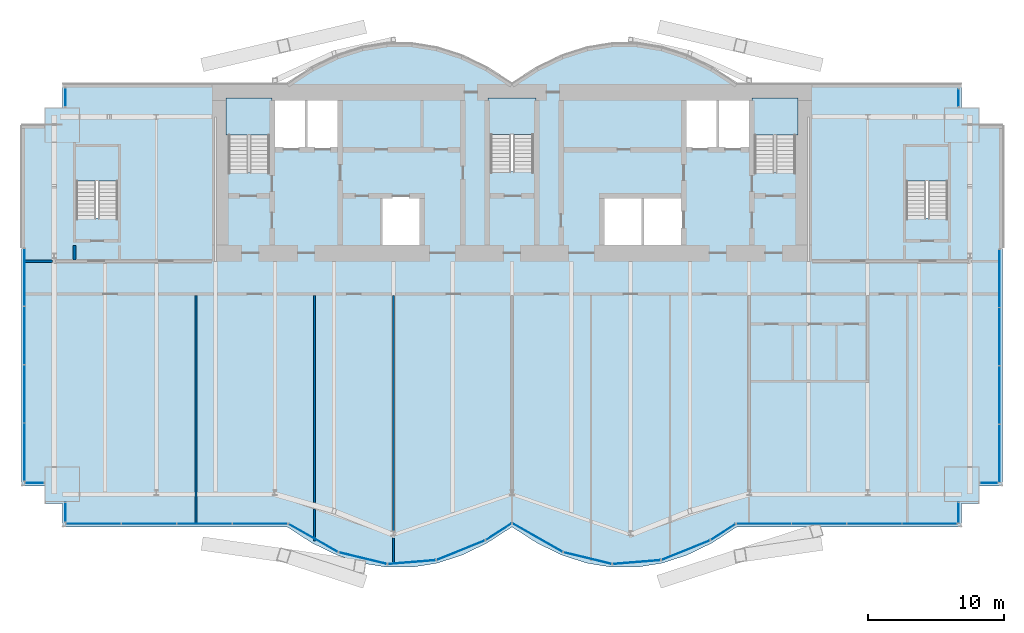
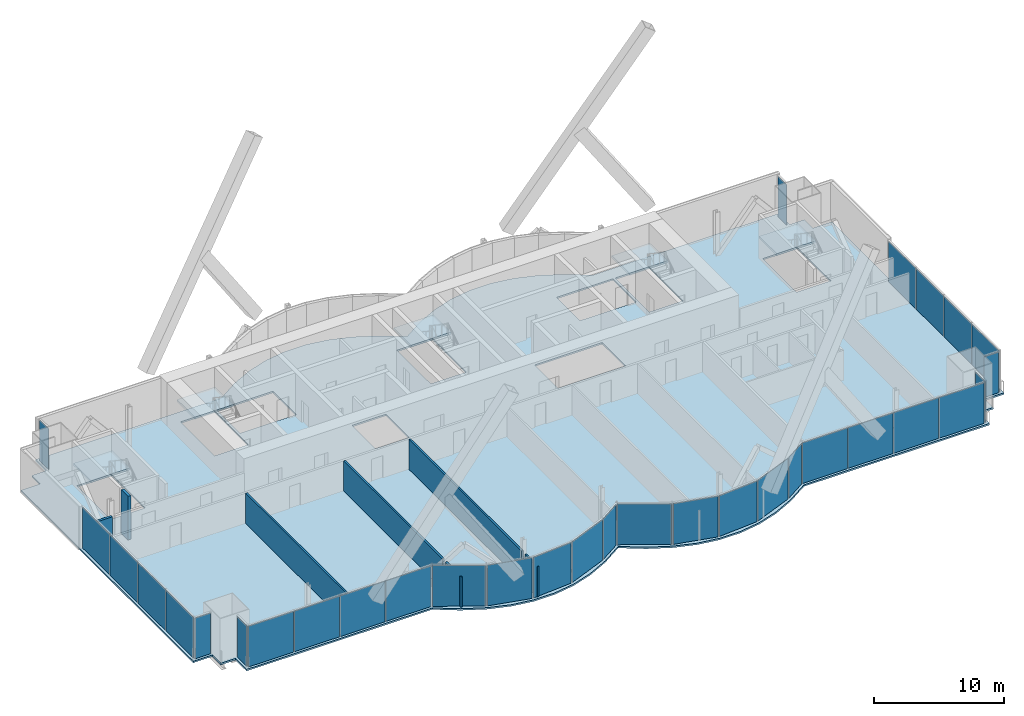
# One storey, part 15 of 22: 32 plates, 7 walls, 6 slabs, 17 elements without a shape of their own.
"""IFC4 building model written with IfcOpenShell, lengths in metres."""

from ifc_helpers import new_model, si_unit, direction, frame, frame_2d, origin, origin_2d, place, context, subcontext, project, spatial, polyline, rectangle, outline, extrude, material, layer, layer_set, type_object, element, aggregate, save


model = new_model("IFC4")

# Units and contexts
model_context = context("Model", 3, precision=1e-05, world=origin(), true_north=direction((0.0, 1.0)))
body_context = subcontext(model_context, "Body", "Model", "MODEL_VIEW")
ifc_project = project(units=[si_unit("LENGTHUNIT", "METRE"), si_unit("AREAUNIT", "SQUARE_METRE"), si_unit("VOLUMEUNIT", "CUBIC_METRE"), si_unit("PLANEANGLEUNIT", "RADIAN"), si_unit("MASSUNIT", "GRAM", prefix="KILO")], contexts=[model_context])

# Site, building, storey
site_placement = place(None, origin())
site = spatial("IfcSite", under=ifc_project, at=site_placement, CompositionType="ELEMENT")
building_placement = place(site_placement, origin())
building = spatial("IfcBuilding", under=site, at=building_placement, Name="Bicima Exchange Tower", CompositionType="ELEMENT")
storey_placement = place(building_placement, frame((0.0, 0.0, 203.199951171875)))
storey = spatial("IfcBuildingStorey", under=building, at=storey_placement, Name="L45", CompositionType="ELEMENT", Elevation=203.199951171875)

# Slab
ifc_material_1 = material(Name="Concrete C40/50", Category="concrete")
ifc_layer_1 = layer(ifc_material_1, 0.14990234375)
ifc_layer_set_1 = layer_set([ifc_layer_1], Name="Concrete C40/50")
slab_type_1 = type_object("IfcSlabType", Name="Composite floor slab 150", PredefinedType="FLOOR", material=ifc_layer_set_1)
slab_1_placement = place(storey_placement, frame((0.0, 0.0, -0.14990234375)))
element("IfcSlab", 1, at=slab_1_placement, inside=storey, type_object=slab_type_1, Name="Floor slab", PredefinedType="FLOOR", context=body_context, shape_type="SweptSolid", body=[
    extrude(outline(polyline([(-36.0, -29.48388671875), (-36.0, -3.0), (-34.300048828125, -3.0), (-34.300048828125, -1.699951171875), (-33.0, -1.699951171875), (-33.0, 0.0), (-16.5, 0.0), (-14.666748046875, 1.185302734375), (-12.833251953125, 2.07421875), (-11.0, 2.666748046875), (-9.166748046875, 2.962890625), (-7.333251953125, 2.962890625), (-5.5, 2.666748046875), (-3.666748046875, 2.07421875), (-1.833251953125, 1.185302734375), (0.0, 0.0), (1.833251953125, 1.185302734375), (3.666748046875, 2.07421875), (5.5, 2.666748046875), (7.333251953125, 2.962890625), (9.166748046875, 2.962890625), (11.0, 2.666748046875), (12.833251953125, 2.07421875), (14.666748046875, 1.185302734375), (16.5, 0.0), (33.0, 0.0), (33.0, -1.699951171875), (34.300048828125, -1.699951171875), (34.300048828125, -3.0), (36.0, -3.0), (36.0, -29.48388671875), (34.300048828125, -29.48388671875), (34.300048828125, -30.783935546875), (33.0, -30.783935546875), (33.0, -32.48388671875), (16.5, -32.48388671875), (14.666748046875, -33.669189453125), (12.833251953125, -34.55810546875), (11.0, -35.150634765625), (9.166748046875, -35.447021484375), (7.333251953125, -35.447021484375), (5.5, -35.150634765625), (3.666748046875, -34.55810546875), (1.833251953125, -33.669189453125), (0.0, -32.48388671875), (-1.833251953125, -33.669189453125), (-3.666748046875, -34.55810546875), (-5.5, -35.150634765625), (-7.333251953125, -35.447021484375), (-9.166748046875, -35.447021484375), (-11.0, -35.150634765625), (-12.833251953125, -34.55810546875), (-14.666748046875, -33.669189453125), (-16.5, -32.48388671875), (-33.0, -32.48388671875), (-33.0, -30.783935546875), (-34.300048828125, -30.783935546875), (-34.300048828125, -29.48388671875), (-36.0, -29.48388671875)]), holes=[polyline([(-6.60009765625, -11.800048828125), (-6.60009765625, -8.199951171875), (-9.60009765625, -8.199951171875), (-9.60009765625, -11.800048828125), (-6.60009765625, -11.800048828125)]), polyline([(-31.97509765625, -9.824951171875), (-28.925048828125, -9.824951171875), (-28.925048828125, -4.625), (-31.97509765625, -4.625), (-31.97509765625, -9.824951171875)]), polyline([(-20.800048828125, -6.449951171875), (-17.800048828125, -6.449951171875), (-17.800048828125, -1.199951171875), (-20.800048828125, -1.199951171875), (-20.800048828125, -6.449951171875)]), polyline([(1.574951171875, -6.39990234375), (1.574951171875, -1.199951171875), (-1.574951171875, -1.199951171875), (-1.574951171875, -6.39990234375), (1.574951171875, -6.39990234375)]), polyline([(-12.60009765625, -4.800048828125), (-12.60009765625, -1.199951171875), (-15.10009765625, -1.199951171875), (-17.60009765625, -1.199951171875), (-17.60009765625, -4.800048828125), (-15.10009765625, -4.800048828125), (-12.60009765625, -4.800048828125)]), polyline([(12.60009765625, -8.199951171875), (9.60009765625, -8.199951171875), (6.60009765625, -8.199951171875), (6.60009765625, -11.800048828125), (9.60009765625, -11.800048828125), (12.60009765625, -11.800048828125), (12.60009765625, -8.199951171875)]), polyline([(28.925048828125, -9.824951171875), (31.97509765625, -9.824951171875), (31.97509765625, -4.625), (28.925048828125, -4.625), (28.925048828125, -9.824951171875)]), polyline([(20.800048828125, -6.449951171875), (20.800048828125, -1.199951171875), (17.800048828125, -1.199951171875), (17.800048828125, -6.449951171875), (20.800048828125, -6.449951171875)]), polyline([(17.60009765625, -4.800048828125), (17.60009765625, -1.199951171875), (15.10009765625, -1.199951171875), (12.60009765625, -1.199951171875), (12.60009765625, -4.800048828125), (15.10009765625, -4.800048828125), (17.60009765625, -4.800048828125)])]), origin(), (0.0, 0.0, 1.0), 0.14990234375),
])

# Curtain wall, plates
ifc_material_2 = material(Name="Anodised bronze aluminium", Category="aluminium")
curtain_wall_type_1 = type_object("IfcCurtainWallType", Name="End face glass wall", PredefinedType="NOTDEFINED", material=ifc_material_2)
curtain_wall_1_placement = place(storey_placement, origin())
curtain_wall_1 = element("IfcCurtainWall", 2, at=curtain_wall_1_placement, inside=storey, type_object=curtain_wall_type_1, Name="End face glass wall L45 run 2", PredefinedType="NOTDEFINED")
ifc_material_3 = material(Name="Bronze tinted glass", Category="glass")
ifc_layer_2 = layer(ifc_material_3, 0.031982421875)
ifc_layer_set_2 = layer_set([ifc_layer_2], Name="Bronze tinted glass")
plate_type_1 = type_object("IfcPlateType", Name="End face glass wall glass panel 32", PredefinedType="CURTAIN_PANEL", material=ifc_layer_set_2)
plate_1_placement = place(storey_placement, frame((-35.77001953125, -18.44775390625, 0.0), z_axis=(0.0, 0.0, 1.0), x_axis=(0.0, -1.0, 0.0)))
plate_1 = element("IfcPlate", 3, at=plate_1_placement, type_object=plate_type_1, Name="End face glass wall panel 2.1", PredefinedType="CURTAIN_PANEL", context=body_context, shape_type="SweptSolid", body=[
    extrude(rectangle(XDim=4.218505859375, YDim=0.031982421875, at=origin_2d()), origin(), (0.0, 0.0, 1.0), 3.81005859375),
])
plate_2_placement = place(storey_placement, frame((-35.77001953125, -27.0048828125, 0.0), z_axis=(0.0, 0.0, 1.0), x_axis=(0.0, -1.0, 0.0)))
plate_2 = element("IfcPlate", 4, at=plate_2_placement, type_object=plate_type_1, Name="End face glass wall panel 4.1", PredefinedType="CURTAIN_PANEL", context=body_context, shape_type="SweptSolid", body=[
    extrude(rectangle(XDim=4.218505859375, YDim=0.031982421875, at=origin_2d()), origin(), (0.0, 0.0, 1.0), 3.81005859375),
])

curtain_wall_2_placement = place(storey_placement, origin())
curtain_wall_2 = element("IfcCurtainWall", 5, at=curtain_wall_2_placement, inside=storey, type_object=curtain_wall_type_1, Name="End face glass wall L45 run 19", PredefinedType="NOTDEFINED")
plate_3_placement = place(storey_placement, frame((35.77001953125, -27.084716796875, 0.0), z_axis=(0.0, 0.0, 1.0), x_axis=(0.0, 1.0, 0.0)))
plate_3 = element("IfcPlate", 6, at=plate_3_placement, type_object=plate_type_1, Name="End face glass wall panel 1.1", PredefinedType="CURTAIN_PANEL", context=body_context, shape_type="SweptSolid", body=[
    extrude(rectangle(XDim=4.218505859375, YDim=0.031982421875, at=origin_2d()), origin(), (0.0, 0.0, 1.0), 3.81005859375),
])
plate_4_placement = place(storey_placement, frame((35.77001953125, -18.52783203125, 0.0), z_axis=(0.0, 0.0, 1.0), x_axis=(0.0, 1.0, 0.0)))
plate_4 = element("IfcPlate", 7, at=plate_4_placement, type_object=plate_type_1, Name="End face glass wall panel 3.1", PredefinedType="CURTAIN_PANEL", context=body_context, shape_type="SweptSolid", body=[
    extrude(rectangle(XDim=4.218505859375, YDim=0.031982421875, at=origin_2d()), origin(), (0.0, 0.0, 1.0), 3.81005859375),
])

# Plate
ifc_material_4 = material(Name="Bronze anodised aluminium", Category="aluminium")
ifc_layer_3 = layer(ifc_material_4, 0.031982421875)
ifc_layer_set_3 = layer_set([ifc_layer_3], Name="Bronze anodised aluminium")
plate_type_2 = type_object("IfcPlateType", Name="End face glass wall spandrel panel 32", PredefinedType="CURTAIN_PANEL", material=ifc_layer_set_3)
plate_5_placement = place(storey_placement, frame((-35.77001953125, -14.169189453125, 0.0), z_axis=(0.0, 0.0, 1.0), x_axis=(0.0, -1.0, 0.0)))
plate_5 = element("IfcPlate", 8, at=plate_5_placement, type_object=plate_type_2, Name="End face spandrel wall panel 1.1", PredefinedType="CURTAIN_PANEL", context=body_context, shape_type="SweptSolid", body=[
    extrude(rectangle(XDim=4.218505859375, YDim=0.031982421875, at=origin_2d()), origin(), (0.0, 0.0, 1.0), 3.81005859375),
])

plate_6_placement = place(storey_placement, frame((-35.77001953125, -22.726318359375, 0.0), z_axis=(0.0, 0.0, 1.0), x_axis=(0.0, -1.0, 0.0)))
plate_6 = element("IfcPlate", 9, at=plate_6_placement, type_object=plate_type_2, Name="End face spandrel wall panel 3.1", PredefinedType="CURTAIN_PANEL", context=body_context, shape_type="SweptSolid", body=[
    extrude(rectangle(XDim=4.218505859375, YDim=0.031982421875, at=origin_2d()), origin(), (0.0, 0.0, 1.0), 3.81005859375),
])

aggregate(curtain_wall_1, [plate_5, plate_1, plate_6, plate_2])

plate_7_placement = place(storey_placement, frame((35.77001953125, -22.806396484375, 0.0), z_axis=(0.0, 0.0, 1.0), x_axis=(0.0, 1.0, 0.0)))
plate_7 = element("IfcPlate", 10, at=plate_7_placement, type_object=plate_type_2, Name="End face spandrel wall panel 2.1", PredefinedType="CURTAIN_PANEL", context=body_context, shape_type="SweptSolid", body=[
    extrude(rectangle(XDim=4.218505859375, YDim=0.031982421875, at=origin_2d()), origin(), (0.0, 0.0, 1.0), 3.81005859375),
])

plate_8_placement = place(storey_placement, frame((35.77001953125, -14.249267578125, 0.0), z_axis=(0.0, 0.0, 1.0), x_axis=(0.0, 1.0, 0.0)))
plate_8 = element("IfcPlate", 11, at=plate_8_placement, type_object=plate_type_2, Name="End face spandrel wall panel 4.1", PredefinedType="CURTAIN_PANEL", context=body_context, shape_type="SweptSolid", body=[
    extrude(rectangle(XDim=4.218505859375, YDim=0.031982421875, at=origin_2d()), origin(), (0.0, 0.0, 1.0), 3.81005859375),
])

aggregate(curtain_wall_2, [plate_3, plate_7, plate_4, plate_8])

# Curtain wall, plate
curtain_wall_type_2 = type_object("IfcCurtainWallType", Name="Front glass wall", PredefinedType="NOTDEFINED", material=ifc_material_2)
curtain_wall_3_placement = place(storey_placement, origin())
curtain_wall_3 = element("IfcCurtainWall", 12, at=curtain_wall_3_placement, inside=storey, type_object=curtain_wall_type_2, Name="Front glass wall L45 run 1", PredefinedType="NOTDEFINED")
ifc_layer_4 = layer(ifc_material_3, 0.031982421875)
ifc_layer_set_4 = layer_set([ifc_layer_4], Name="Bronze tinted glass")
plate_type_3 = type_object("IfcPlateType", Name="Front glass wall glass panel 32", PredefinedType="CURTAIN_PANEL", material=ifc_layer_set_4)
plate_9_placement = place(storey_placement, frame((-32.77001953125, -0.965087890625, 0.0), z_axis=(0.0, 0.0, 1.0), x_axis=(0.0, -1.0, 0.0)))
plate_9 = element("IfcPlate", 13, at=plate_9_placement, type_object=plate_type_3, Name="Front glass wall panel 1.1", PredefinedType="CURTAIN_PANEL", context=body_context, shape_type="SweptSolid", body=[
    extrude(rectangle(XDim=1.35009765625, YDim=0.031982421875, at=origin_2d()), origin(), (0.0, 0.0, 1.0), 3.81005859375),
])
aggregate(curtain_wall_3, [plate_9])

curtain_wall_4_placement = place(storey_placement, origin())
curtain_wall_4 = element("IfcCurtainWall", 14, at=curtain_wall_4_placement, inside=storey, type_object=curtain_wall_type_2, Name="Front glass wall L45 run 3", PredefinedType="NOTDEFINED")
plate_10_placement = place(storey_placement, frame((-35.034912109375, -29.25390625, 0.0), z_axis=(0.0, 0.0, 1.0), x_axis=(1.0, 0.0, 0.0)))
plate_10 = element("IfcPlate", 15, at=plate_10_placement, type_object=plate_type_3, Name="Front glass wall panel 1.1", PredefinedType="CURTAIN_PANEL", context=body_context, shape_type="SweptSolid", body=[
    extrude(rectangle(XDim=1.35009765625, YDim=0.031982421875, at=origin_2d()), origin(), (0.0, 0.0, 1.0), 3.81005859375),
])
aggregate(curtain_wall_4, [plate_10])

curtain_wall_5_placement = place(storey_placement, origin())
curtain_wall_5 = element("IfcCurtainWall", 16, at=curtain_wall_5_placement, inside=storey, type_object=curtain_wall_type_2, Name="Front glass wall L45 run 4", PredefinedType="NOTDEFINED")
plate_11_placement = place(storey_placement, frame((-32.77001953125, -31.41796875, 0.0), z_axis=(0.0, 0.0, 1.0), x_axis=(0.0, -1.0, 0.0)))
plate_11 = element("IfcPlate", 17, at=plate_11_placement, type_object=plate_type_3, Name="Front glass wall panel 1.1", PredefinedType="CURTAIN_PANEL", context=body_context, shape_type="SweptSolid", body=[
    extrude(rectangle(XDim=1.39208984375, YDim=0.031982421875, at=origin_2d()), origin(), (0.0, 0.0, 1.0), 3.81005859375),
])
aggregate(curtain_wall_5, [plate_11])

# Curtain wall, plates
curtain_wall_6_placement = place(storey_placement, origin())
curtain_wall_6 = element("IfcCurtainWall", 18, at=curtain_wall_6_placement, inside=storey, type_object=curtain_wall_type_2, Name="Front glass wall L45 run 5", PredefinedType="NOTDEFINED")
plate_12_placement = place(storey_placement, frame((-30.705322265625, -32.25390625, 0.0), z_axis=(0.0, 0.0, 1.0), x_axis=(1.0, 0.0, 0.0)))
plate_12 = element("IfcPlate", 19, at=plate_12_placement, type_object=plate_type_3, Name="Front glass wall panel 1.1", PredefinedType="CURTAIN_PANEL", context=body_context, shape_type="SweptSolid", body=[
    extrude(rectangle(XDim=4.009521484375, YDim=0.031982421875, at=origin_2d()), origin(), (0.0, 0.0, 1.0), 3.81005859375),
])
plate_13_placement = place(storey_placement, frame((-18.496826171875, -32.25390625, 0.0), z_axis=(0.0, 0.0, 1.0), x_axis=(1.0, 0.0, 0.0)))
plate_13 = element("IfcPlate", 20, at=plate_13_placement, type_object=plate_type_3, Name="Front glass wall panel 4.1", PredefinedType="CURTAIN_PANEL", context=body_context, shape_type="SweptSolid", body=[
    extrude(rectangle(XDim=4.009521484375, YDim=0.031982421875, at=origin_2d()), origin(), (0.0, 0.0, 1.0), 3.81005859375),
])

curtain_wall_7_placement = place(storey_placement, origin())
curtain_wall_7 = element("IfcCurtainWall", 21, at=curtain_wall_7_placement, inside=storey, type_object=curtain_wall_type_2, Name="Front glass wall L45 run 6", PredefinedType="NOTDEFINED")
plate_14_placement = place(storey_placement, frame((-14.589599609375, -33.299072265625, 0.0), z_axis=(0.0, 0.0, 1.0), x_axis=(0.869805110681, -0.493395449343, 0.0)))
plate_14 = element("IfcPlate", 22, at=plate_14_placement, type_object=plate_type_3, Name="Front glass wall panel 1.1", PredefinedType="CURTAIN_PANEL", context=body_context, shape_type="SweptSolid", body=[
    extrude(rectangle(XDim=4.1162109375, YDim=0.031982421875, at=origin_2d()), origin(), (0.0, 0.0, 1.0), 3.81005859375),
])
plate_15_placement = place(storey_placement, frame((-3.750244140625, -34.197509765625, 0.0), z_axis=(0.0, 0.0, 1.0), x_axis=(0.92714396679, 0.374705304, 0.0)))
plate_15 = element("IfcPlate", 23, at=plate_15_placement, type_object=plate_type_3, Name="Front glass wall panel 1.1", PredefinedType="CURTAIN_PANEL", context=body_context, shape_type="SweptSolid", body=[
    extrude(rectangle(XDim=3.771240234375, YDim=0.031982421875, at=origin_2d()), origin(), (0.0, 0.0, 1.0), 3.81005859375),
])
plate_16_placement = place(storey_placement, frame((-0.97314453125, -32.839111328125, 0.0), z_axis=(0.0, 0.0, 1.0), x_axis=(0.839798994301, 0.542897457326, 0.0)))
plate_16 = element("IfcPlate", 24, at=plate_16_placement, type_object=plate_type_3, Name="Front glass wall panel 1.1", PredefinedType="CURTAIN_PANEL", context=body_context, shape_type="SweptSolid", body=[
    extrude(rectangle(XDim=2.197509765625, YDim=0.031982421875, at=origin_2d()), origin(), (0.0, 0.0, 1.0), 3.81005859375),
])

curtain_wall_8_placement = place(storey_placement, origin())
curtain_wall_8 = element("IfcCurtainWall", 25, at=curtain_wall_8_placement, inside=storey, type_object=curtain_wall_type_2, Name="Front glass wall L45 run 11", PredefinedType="NOTDEFINED")
plate_17_placement = place(storey_placement, frame((1.876220703125, -33.277099609375, 0.0), z_axis=(0.0, 0.0, 1.0), x_axis=(0.869274147378, -0.494330311331, 0.0)))
plate_17 = element("IfcPlate", 26, at=plate_17_placement, type_object=plate_type_3, Name="Front glass wall panel 1.1", PredefinedType="CURTAIN_PANEL", context=body_context, shape_type="SweptSolid", body=[
    extrude(rectangle(XDim=4.197021484375, YDim=0.031982421875, at=origin_2d()), origin(), (0.0, 0.0, 1.0), 3.81005859375),
])
plate_18_placement = place(storey_placement, frame((5.55224609375, -34.780517578125, 0.0), z_axis=(0.0, 0.0, 1.0), x_axis=(0.971830343553, -0.235681529503, 0.0)))
plate_18 = element("IfcPlate", 27, at=plate_18_placement, type_object=plate_type_3, Name="Front glass wall panel 1.1", PredefinedType="CURTAIN_PANEL", context=body_context, shape_type="SweptSolid", body=[
    extrude(rectangle(XDim=3.583251953125, YDim=0.031982421875, at=origin_2d()), origin(), (0.0, 0.0, 1.0), 3.81005859375),
])
plate_19_placement = place(storey_placement, frame((12.749755859375, -34.197509765625, 0.0), z_axis=(0.0, 0.0, 1.0), x_axis=(0.92714396679, 0.374705304, 0.0)))
plate_19 = element("IfcPlate", 28, at=plate_19_placement, type_object=plate_type_3, Name="Front glass wall panel 1.1", PredefinedType="CURTAIN_PANEL", context=body_context, shape_type="SweptSolid", body=[
    extrude(rectangle(XDim=3.771240234375, YDim=0.031982421875, at=origin_2d()), origin(), (0.0, 0.0, 1.0), 3.81005859375),
])
plate_20_placement = place(storey_placement, frame((15.492919921875, -32.861083984375, 0.0), z_axis=(0.0, 0.0, 1.0), x_axis=(0.839791413941, 0.542909183079, 0.0)))
plate_20 = element("IfcPlate", 29, at=plate_20_placement, type_object=plate_type_3, Name="Front glass wall panel 1.1", PredefinedType="CURTAIN_PANEL", context=body_context, shape_type="SweptSolid", body=[
    extrude(rectangle(XDim=2.11669921875, YDim=0.031982421875, at=origin_2d()), origin(), (0.0, 0.0, 1.0), 3.81005859375),
])

curtain_wall_9_placement = place(storey_placement, origin())
curtain_wall_9 = element("IfcCurtainWall", 30, at=curtain_wall_9_placement, inside=storey, type_object=curtain_wall_type_2, Name="Front glass wall L45 run 16", PredefinedType="NOTDEFINED")
plate_21_placement = place(storey_placement, frame((18.48681640625, -32.25390625, 0.0), z_axis=(0.0, 0.0, 1.0), x_axis=(1.0, 0.0, 0.0)))
plate_21 = element("IfcPlate", 31, at=plate_21_placement, type_object=plate_type_3, Name="Front glass wall panel 1.1", PredefinedType="CURTAIN_PANEL", context=body_context, shape_type="SweptSolid", body=[
    extrude(rectangle(XDim=3.989501953125, YDim=0.031982421875, at=origin_2d()), origin(), (0.0, 0.0, 1.0), 3.81005859375),
])
plate_22_placement = place(storey_placement, frame((30.63525390625, -32.25390625, 0.0), z_axis=(0.0, 0.0, 1.0), x_axis=(1.0, 0.0, 0.0)))
plate_22 = element("IfcPlate", 32, at=plate_22_placement, type_object=plate_type_3, Name="Front glass wall panel 4.1", PredefinedType="CURTAIN_PANEL", context=body_context, shape_type="SweptSolid", body=[
    extrude(rectangle(XDim=3.989501953125, YDim=0.031982421875, at=origin_2d()), origin(), (0.0, 0.0, 1.0), 3.81005859375),
])

# Curtain wall, plate
curtain_wall_10_placement = place(storey_placement, origin())
curtain_wall_10 = element("IfcCurtainWall", 33, at=curtain_wall_10_placement, inside=storey, type_object=curtain_wall_type_2, Name="Front glass wall L45 run 17", PredefinedType="NOTDEFINED")
plate_23_placement = place(storey_placement, frame((32.77001953125, -31.4580078125, 0.0), z_axis=(0.0, 0.0, 1.0), x_axis=(0.0, 1.0, 0.0)))
plate_23 = element("IfcPlate", 34, at=plate_23_placement, type_object=plate_type_3, Name="Front glass wall panel 1.1", PredefinedType="CURTAIN_PANEL", context=body_context, shape_type="SweptSolid", body=[
    extrude(rectangle(XDim=1.471923828125, YDim=0.031982421875, at=origin_2d()), origin(), (0.0, 0.0, 1.0), 3.81005859375),
])
aggregate(curtain_wall_10, [plate_23])

curtain_wall_11_placement = place(storey_placement, origin())
curtain_wall_11 = element("IfcCurtainWall", 35, at=curtain_wall_11_placement, inside=storey, type_object=curtain_wall_type_2, Name="Front glass wall L45 run 18", PredefinedType="NOTDEFINED")
plate_24_placement = place(storey_placement, frame((34.9951171875, -29.25390625, 0.0), z_axis=(0.0, 0.0, 1.0), x_axis=(1.0, 0.0, 0.0)))
plate_24 = element("IfcPlate", 36, at=plate_24_placement, type_object=plate_type_3, Name="Front glass wall panel 1.1", PredefinedType="CURTAIN_PANEL", context=body_context, shape_type="SweptSolid", body=[
    extrude(rectangle(XDim=1.27001953125, YDim=0.031982421875, at=origin_2d()), origin(), (0.0, 0.0, 1.0), 3.81005859375),
])
aggregate(curtain_wall_11, [plate_24])

curtain_wall_12_placement = place(storey_placement, origin())
curtain_wall_12 = element("IfcCurtainWall", 37, at=curtain_wall_12_placement, inside=storey, type_object=curtain_wall_type_2, Name="Front glass wall L45 run 20", PredefinedType="NOTDEFINED")
plate_25_placement = place(storey_placement, frame((32.77001953125, -1.0048828125, 0.0), z_axis=(0.0, 0.0, 1.0), x_axis=(0.0, 1.0, 0.0)))
plate_25 = element("IfcPlate", 38, at=plate_25_placement, type_object=plate_type_3, Name="Front glass wall panel 1.1", PredefinedType="CURTAIN_PANEL", context=body_context, shape_type="SweptSolid", body=[
    extrude(rectangle(XDim=1.27001953125, YDim=0.031982421875, at=origin_2d()), origin(), (0.0, 0.0, 1.0), 3.81005859375),
])
aggregate(curtain_wall_12, [plate_25])

# Plate
ifc_layer_5 = layer(ifc_material_4, 0.031982421875)
ifc_layer_set_5 = layer_set([ifc_layer_5], Name="Bronze anodised aluminium")
plate_type_4 = type_object("IfcPlateType", Name="Front glass wall spandrel panel 32", PredefinedType="CURTAIN_PANEL", material=ifc_layer_set_5)
plate_26_placement = place(storey_placement, frame((-26.6357421875, -32.25390625, 0.0), z_axis=(0.0, 0.0, 1.0), x_axis=(1.0, 0.0, 0.0)))
plate_26 = element("IfcPlate", 39, at=plate_26_placement, type_object=plate_type_4, Name="Front spandrel wall panel 2.1", PredefinedType="CURTAIN_PANEL", context=body_context, shape_type="SweptSolid", body=[
    extrude(rectangle(XDim=4.009521484375, YDim=0.031982421875, at=origin_2d()), origin(), (0.0, 0.0, 1.0), 3.81005859375),
])

plate_27_placement = place(storey_placement, frame((-22.56640625, -32.25390625, 0.0), z_axis=(0.0, 0.0, 1.0), x_axis=(1.0, 0.0, 0.0)))
plate_27 = element("IfcPlate", 40, at=plate_27_placement, type_object=plate_type_4, Name="Front spandrel wall panel 3.1", PredefinedType="CURTAIN_PANEL", context=body_context, shape_type="SweptSolid", body=[
    extrude(rectangle(XDim=4.009521484375, YDim=0.031982421875, at=origin_2d()), origin(), (0.0, 0.0, 1.0), 3.81005859375),
])

aggregate(curtain_wall_6, [plate_12, plate_26, plate_27, plate_13])

plate_28_placement = place(storey_placement, frame((-10.94775390625, -34.780517578125, 0.0), z_axis=(0.0, 0.0, 1.0), x_axis=(0.971830343553, -0.235681529503, 0.0)))
plate_28 = element("IfcPlate", 41, at=plate_28_placement, type_object=plate_type_4, Name="Front spandrel wall panel 1.1", PredefinedType="CURTAIN_PANEL", context=body_context, shape_type="SweptSolid", body=[
    extrude(rectangle(XDim=3.583251953125, YDim=0.031982421875, at=origin_2d()), origin(), (0.0, 0.0, 1.0), 3.81005859375),
])

plate_29_placement = place(storey_placement, frame((-7.35107421875, -35.07177734375, 0.0), z_axis=(0.0, 0.0, 1.0), x_axis=(0.99674744821, 0.080588612633, 0.0)))
plate_29 = element("IfcPlate", 42, at=plate_29_placement, type_object=plate_type_4, Name="Front spandrel wall panel 1.1", PredefinedType="CURTAIN_PANEL", context=body_context, shape_type="SweptSolid", body=[
    extrude(rectangle(XDim=3.486083984375, YDim=0.031982421875, at=origin_2d()), origin(), (0.0, 0.0, 1.0), 3.81005859375),
])

aggregate(curtain_wall_7, [plate_14, plate_28, plate_29, plate_15, plate_16])

plate_30_placement = place(storey_placement, frame((9.14892578125, -35.07177734375, 0.0), z_axis=(0.0, 0.0, 1.0), x_axis=(0.99674744821, 0.080588612633, 0.0)))
plate_30 = element("IfcPlate", 43, at=plate_30_placement, type_object=plate_type_4, Name="Front spandrel wall panel 1.1", PredefinedType="CURTAIN_PANEL", context=body_context, shape_type="SweptSolid", body=[
    extrude(rectangle(XDim=3.486083984375, YDim=0.031982421875, at=origin_2d()), origin(), (0.0, 0.0, 1.0), 3.81005859375),
])

aggregate(curtain_wall_8, [plate_17, plate_18, plate_30, plate_19, plate_20])

plate_31_placement = place(storey_placement, frame((22.536376953125, -32.25390625, 0.0), z_axis=(0.0, 0.0, 1.0), x_axis=(1.0, 0.0, 0.0)))
plate_31 = element("IfcPlate", 44, at=plate_31_placement, type_object=plate_type_4, Name="Front spandrel wall panel 2.1", PredefinedType="CURTAIN_PANEL", context=body_context, shape_type="SweptSolid", body=[
    extrude(rectangle(XDim=3.989501953125, YDim=0.031982421875, at=origin_2d()), origin(), (0.0, 0.0, 1.0), 3.81005859375),
])

plate_32_placement = place(storey_placement, frame((26.585693359375, -32.25390625, 0.0), z_axis=(0.0, 0.0, 1.0), x_axis=(1.0, 0.0, 0.0)))
plate_32 = element("IfcPlate", 45, at=plate_32_placement, type_object=plate_type_4, Name="Front spandrel wall panel 3.1", PredefinedType="CURTAIN_PANEL", context=body_context, shape_type="SweptSolid", body=[
    extrude(rectangle(XDim=3.989501953125, YDim=0.031982421875, at=origin_2d()), origin(), (0.0, 0.0, 1.0), 3.81005859375),
])

aggregate(curtain_wall_9, [plate_21, plate_31, plate_32, plate_22])

# Stair, slab
ifc_material_5 = material(Name="Concrete C50/60", Category="concrete")
stair_type_1 = type_object("IfcStairType", Name="Exit stair", PredefinedType="HALF_TURN_STAIR", material=ifc_material_5)
stair_1_placement = place(storey_placement, origin())
stair_1 = element("IfcStair", 46, at=stair_1_placement, inside=storey, type_object=stair_type_1, Name="L45 West exit stair", PredefinedType="HALF_TURN_STAIR")
ifc_layer_6 = layer(ifc_material_5, 0.199951171875)
ifc_layer_set_6 = layer_set([ifc_layer_6], Name="Concrete C50/60")
slab_type_2 = type_object("IfcSlabType", Name="Stair landing slab", PredefinedType="LANDING", material=ifc_layer_set_6)
slab_2_placement = place(storey_placement, frame((0.0, 0.0, 1.85009765625)))
slab_2 = element("IfcSlab", 47, at=slab_2_placement, type_object=slab_type_2, Name="ST-W landing 1", PredefinedType="LANDING", context=body_context, shape_type="SweptSolid", body=[
    extrude(outline(polyline([(-17.60009765625, -3.75), (-17.60009765625, -1.0), (-21.0, -1.0), (-21.0, -3.75), (-17.60009765625, -3.75)])), origin(), (0.0, 0.0, 1.0), 0.199951171875),
])
aggregate(stair_1, [slab_2])

stair_type_2 = type_object("IfcStairType", Name="Exit stair 1500", PredefinedType="HALF_TURN_STAIR", material=ifc_material_5)
stair_2_placement = place(storey_placement, origin())
stair_2 = element("IfcStair", 48, at=stair_2_placement, inside=storey, type_object=stair_type_2, Name="L45 Central exit stair", PredefinedType="HALF_TURN_STAIR")
slab_3_placement = place(storey_placement, frame((0.0, 0.0, 1.85009765625)))
slab_3 = element("IfcSlab", 49, at=slab_3_placement, type_object=slab_type_2, Name="ST-C landing 1", PredefinedType="LANDING", context=body_context, shape_type="SweptSolid", body=[
    extrude(outline(polyline([(1.77490234375, -3.699951171875), (1.77490234375, -1.0), (-1.77490234375, -1.0), (-1.77490234375, -3.699951171875), (1.77490234375, -3.699951171875)])), origin(), (0.0, 0.0, 1.0), 0.199951171875),
])
aggregate(stair_2, [slab_3])

stair_3_placement = place(storey_placement, origin())
stair_3 = element("IfcStair", 50, at=stair_3_placement, inside=storey, type_object=stair_type_1, Name="L45 East exit stair", PredefinedType="HALF_TURN_STAIR")
slab_4_placement = place(storey_placement, frame((0.0, 0.0, 1.85009765625)))
slab_4 = element("IfcSlab", 51, at=slab_4_placement, type_object=slab_type_2, Name="ST-E landing 1", PredefinedType="LANDING", context=body_context, shape_type="SweptSolid", body=[
    extrude(outline(polyline([(21.0, -3.75), (21.0, -1.0), (17.60009765625, -1.0), (17.60009765625, -3.75), (21.0, -3.75)])), origin(), (0.0, 0.0, 1.0), 0.199951171875),
])
aggregate(stair_3, [slab_4])

stair_4_placement = place(storey_placement, origin())
stair_4 = element("IfcStair", 52, at=stair_4_placement, inside=storey, type_object=stair_type_1, Name="L45 West end exit stair", PredefinedType="HALF_TURN_STAIR")
slab_5_placement = place(storey_placement, frame((0.0, 0.0, 1.85009765625)))
slab_5 = element("IfcSlab", 53, at=slab_5_placement, type_object=slab_type_2, Name="ST-WW landing 1", PredefinedType="LANDING", context=body_context, shape_type="SweptSolid", body=[
    extrude(outline(polyline([(-28.72509765625, -7.125), (-28.72509765625, -4.425048828125), (-32.175048828125, -4.425048828125), (-32.175048828125, -7.125), (-28.72509765625, -7.125)])), origin(), (0.0, 0.0, 1.0), 0.199951171875),
])
aggregate(stair_4, [slab_5])

stair_5_placement = place(storey_placement, origin())
stair_5 = element("IfcStair", 54, at=stair_5_placement, inside=storey, type_object=stair_type_1, Name="L45 East end exit stair", PredefinedType="HALF_TURN_STAIR")
slab_6_placement = place(storey_placement, frame((0.0, 0.0, 1.85009765625)))
slab_6 = element("IfcSlab", 55, at=slab_6_placement, type_object=slab_type_2, Name="ST-EE landing 1", PredefinedType="LANDING", context=body_context, shape_type="SweptSolid", body=[
    extrude(outline(polyline([(32.175048828125, -7.125), (32.175048828125, -4.425048828125), (28.72509765625, -4.425048828125), (28.72509765625, -7.125), (32.175048828125, -7.125)])), origin(), (0.0, 0.0, 1.0), 0.199951171875),
])
aggregate(stair_5, [slab_6])

# Walls
ifc_material_6 = material(Name="Gypsum board partition")
ifc_layer_7 = layer(ifc_material_6, 0.199951171875)
ifc_layer_set_7 = layer_set([ifc_layer_7], Name="Gypsum board partition")
wall_type_1 = type_object("IfcWallType", Name="Fire-rated gypsum partition 200 EI60", PredefinedType="PARTITIONING", material=ifc_layer_set_7)
wall_1_placement = place(storey_placement, frame((-35.679931640625, -13.0, 0.0), z_axis=(0.0, 0.0, 1.0), x_axis=(1.0, 0.0, 0.0)))
element("IfcWall", 56, at=wall_1_placement, inside=storey, type_object=wall_type_1, Name="partition wall 4", PredefinedType="PARTITIONING", context=body_context, shape_type="SweptSolid", body=[
    extrude(rectangle(XDim=1.9599609375, YDim=0.199951171875, at=frame_2d((0.97998046875, 0.0))), origin(), (0.0, 0.0, 1.0), 2.84033203125),
])
ifc_layer_8 = layer(ifc_material_6, 0.14990234375)
ifc_layer_set_8 = layer_set([ifc_layer_8], Name="Gypsum board partition")
wall_type_2 = type_object("IfcWallType", Name="Gypsum partition 150", PredefinedType="PARTITIONING", material=ifc_layer_set_8)
wall_2_placement = place(storey_placement, frame((-23.199951171875, -32.27001953125, 0.0), z_axis=(0.0, 0.0, 1.0), x_axis=(0.0, 1.0, 0.0)))
element("IfcWall", 57, at=wall_2_placement, inside=storey, type_object=wall_type_2, Name="partition wall 14", PredefinedType="PARTITIONING", context=body_context, shape_type="SweptSolid", body=[
    extrude(rectangle(XDim=16.77001953125, YDim=0.14990234375, at=frame_2d((8.385009765625, 0.0))), origin(), (0.0, 0.0, 1.0), 2.84033203125),
])
wall_3_placement = place(storey_placement, frame((-14.5, -33.52001953125, 0.0), z_axis=(0.0, 0.0, 1.0), x_axis=(0.0, 1.0, 0.0)))
element("IfcWall", 58, at=wall_3_placement, inside=storey, type_object=wall_type_2, Name="partition wall 15", PredefinedType="PARTITIONING", context=body_context, shape_type="SweptSolid", body=[
    extrude(rectangle(XDim=2.364501953125, YDim=0.14990234375, at=frame_2d((1.18212890625, 0.0))), origin(), (0.0, 0.0, 1.0), 2.84033203125),
])
wall_4_placement = place(storey_placement, frame((-14.5, -30.680908203125, 0.0), z_axis=(0.0, 0.0, 1.0), x_axis=(0.0, 1.0, 0.0)))
element("IfcWall", 59, at=wall_4_placement, inside=storey, type_object=wall_type_2, Name="partition wall 16", PredefinedType="PARTITIONING", context=body_context, shape_type="SweptSolid", body=[
    extrude(rectangle(XDim=15.180908203125, YDim=0.14990234375, at=frame_2d((7.59033203125, 0.0))), origin(), (0.0, 0.0, 1.0), 2.84033203125),
])
wall_5_placement = place(storey_placement, frame((-8.699951171875, -35.239990234375, 0.0), z_axis=(0.0, 0.0, 1.0), x_axis=(0.0, 1.0, 0.0)))
element("IfcWall", 60, at=wall_5_placement, inside=storey, type_object=wall_type_2, Name="partition wall 17", PredefinedType="PARTITIONING", context=body_context, shape_type="SweptSolid", body=[
    extrude(rectangle(XDim=1.9208984375, YDim=0.14990234375, at=frame_2d((0.96044921875, 0.0))), origin(), (0.0, 0.0, 1.0), 2.84033203125),
])
wall_6_placement = place(storey_placement, frame((-8.699951171875, -32.831298828125, 0.0), z_axis=(0.0, 0.0, 1.0), x_axis=(0.0, 1.0, 0.0)))
element("IfcWall", 61, at=wall_6_placement, inside=storey, type_object=wall_type_2, Name="partition wall 18", PredefinedType="PARTITIONING", context=body_context, shape_type="SweptSolid", body=[
    extrude(rectangle(XDim=17.331298828125, YDim=0.14990234375, at=frame_2d((8.66552734375, 0.0))), origin(), (0.0, 0.0, 1.0), 2.84033203125),
])
ifc_layer_9 = layer(ifc_material_5, 0.25)
ifc_layer_set_9 = layer_set([ifc_layer_9], Name="Concrete C50/60")
wall_type_3 = type_object("IfcWallType", Name="RC core wall 250 C50/60", PredefinedType="SHEAR", material=ifc_layer_set_9)
wall_7_placement = place(storey_placement, frame((-32.10009765625, -12.89990234375, 0.0), z_axis=(0.0, 0.0, 1.0), x_axis=(0.0, 1.0, 0.0)))
element("IfcWall", 62, at=wall_7_placement, inside=storey, type_object=wall_type_3, Name="stair wall 12", PredefinedType="SHEAR", context=body_context, shape_type="SweptSolid", body=[
    extrude(rectangle(XDim=1.0498046875, YDim=0.25, at=frame_2d((0.52490234375, 0.0))), origin(), (0.0, 0.0, 1.0), 4.10009765625),
])

save(model, "model.ifc")
